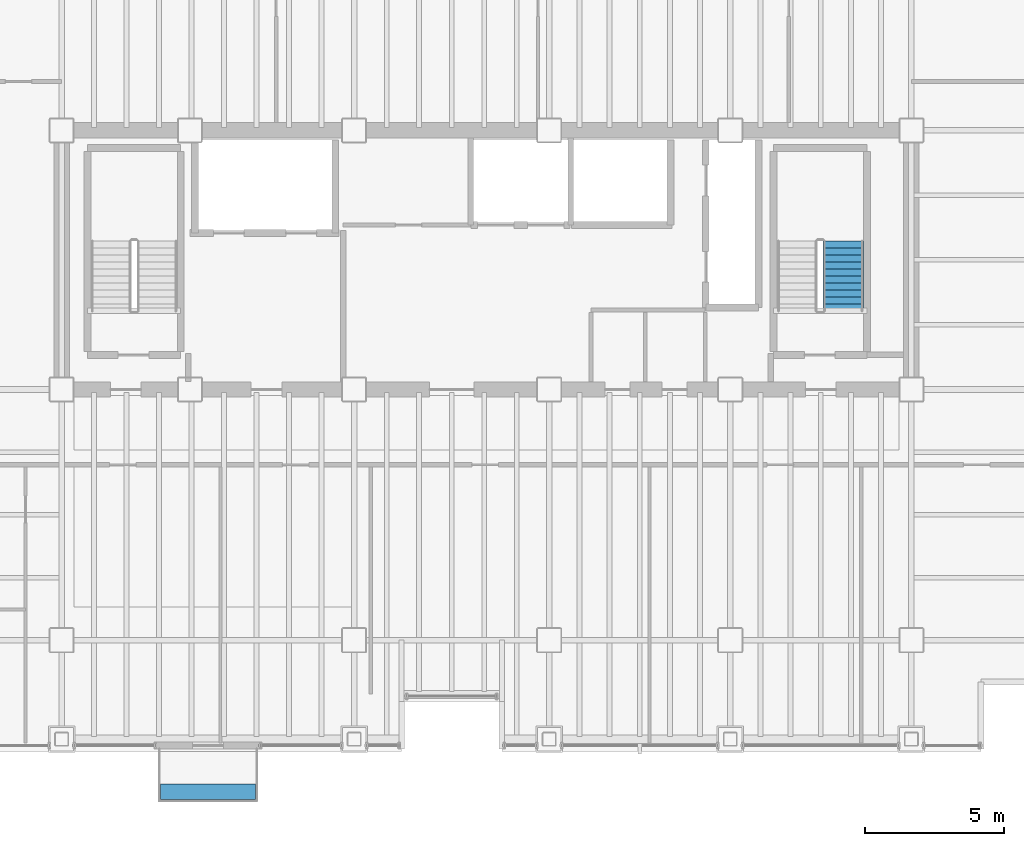
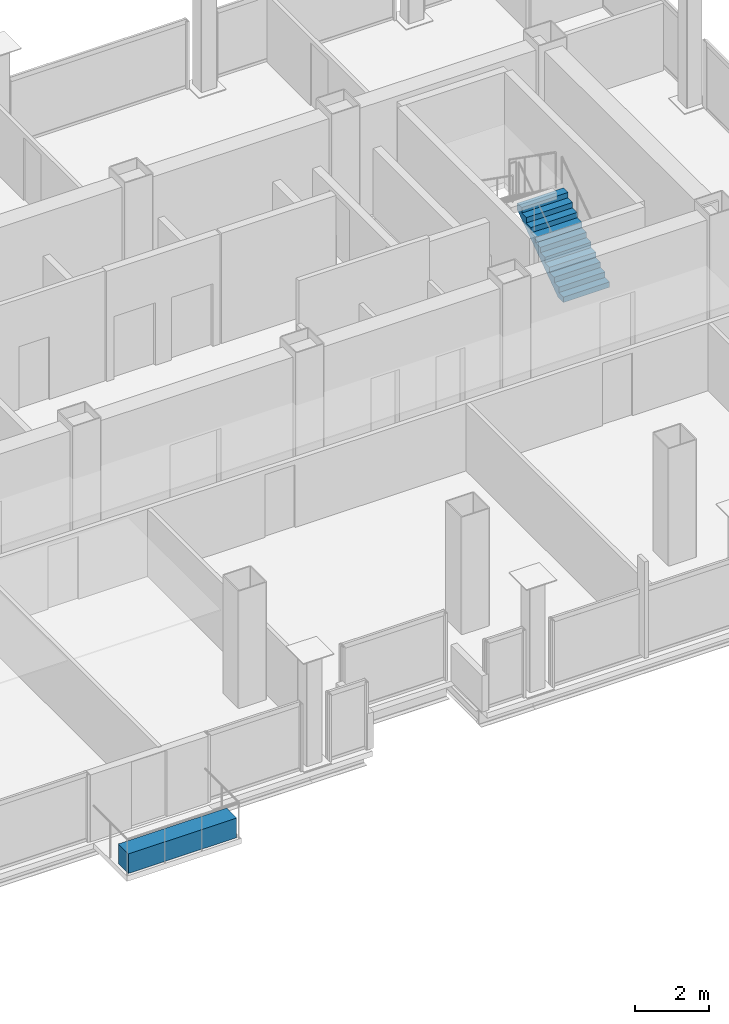
# One storey, part 18 of 19: 1 discrete accessory, 1 stair flight, 1 element without a shape of its own.
"""IFC4 building model written with IfcOpenShell, lengths in metres."""

from ifc_helpers import new_model, si_unit, direction, frame, origin, origin_2d, place, context, subcontext, project, spatial, polyline, rectangle, outline, extrude, material, layer, layer_set, type_object, element, aggregate, save


model = new_model("IFC4")

# Units and contexts
model_context = context("Model", 3, precision=1e-05, world=origin(), true_north=direction((0.0, 1.0)))
body_context = subcontext(model_context, "Body", "Model", "MODEL_VIEW")
ifc_project = project(units=[si_unit("LENGTHUNIT", "METRE"), si_unit("AREAUNIT", "SQUARE_METRE"), si_unit("VOLUMEUNIT", "CUBIC_METRE"), si_unit("PLANEANGLEUNIT", "RADIAN"), si_unit("MASSUNIT", "GRAM", prefix="KILO")], contexts=[model_context])

# Site, building, storey
site_placement = place(None, origin())
site = spatial("IfcSite", under=ifc_project, at=site_placement, CompositionType="ELEMENT")
building_placement = place(site_placement, origin())
building = spatial("IfcBuilding", under=site, at=building_placement, Name="Noeulbin Bourse Tower", CompositionType="ELEMENT")
storey_placement = place(building_placement, frame((0.0, 0.0, 165.60009765625)))
storey = spatial("IfcBuildingStorey", under=building, at=storey_placement, Name="L41", CompositionType="ELEMENT", Elevation=165.60009765625)

# Stair, stair flight
ifc_material_1 = material(Name="Concrete C40/50", Category="concrete")
stair_type = type_object("IfcStairType", Name="STR-CORE-1560", PredefinedType="HALF_TURN_STAIR", material=ifc_material_1)
stair_placement = place(storey_placement, origin())
stair = element("IfcStair", 1, at=stair_placement, inside=storey, type_object=stair_type, Name="L41 ST-2", PredefinedType="HALF_TURN_STAIR")
stair_flight_type = type_object("IfcStairFlightType", Name="SFL-CORE-1560", PredefinedType="STRAIGHT", material=ifc_material_1)
stair_flight_placement = place(storey_placement, frame((41.554931640625, 31.81005859375, 0.0), z_axis=(0.0, 0.0, 1.0), x_axis=(0.0, 1.0, 0.0)))
stair_flight = element("IfcStairFlight", 2, at=stair_flight_placement, type_object=stair_flight_type, Name="ST-2 flight 1", NumberOfRisers=11, NumberOfTreads=10, PredefinedType="STRAIGHT", RiserHeight=0.177272727, TreadLength=0.252, context=body_context, shape_type="SweptSolid", body=[
    extrude(outline(polyline([(0.0, 0.0), (0.0, 0.17724609375), (0.251953125, 0.17724609375), (0.251953125, 0.3544921875), (0.50390625, 0.3544921875), (0.50390625, 0.53173828125), (0.756103515625, 0.53173828125), (0.756103515625, 0.708984375), (1.008056640625, 0.708984375), (1.008056640625, 0.886474609375), (1.260009765625, 0.886474609375), (1.260009765625, 1.063720703125), (1.511962890625, 1.063720703125), (1.511962890625, 1.240966796875), (1.763916015625, 1.240966796875), (1.763916015625, 1.418212890625), (2.01611328125, 1.418212890625), (2.01611328125, 1.595458984375), (2.26806640625, 1.595458984375), (2.26806640625, 1.772705078125), (2.52001953125, 1.772705078125), (2.52001953125, 1.949951171875), (2.52001953125, 1.552734375), (0.312744140625, 0.0), (0.0, 0.0)])), frame((0.0, 0.72509765625, 0.0), z_axis=(0.0, -1.0, 0.0), x_axis=(1.0, 0.0, 0.0)), (0.0, 0.0, 1.0), 1.449951171875),
])
aggregate(stair, [stair_flight])

# Discrete accessory
ifc_material_2 = material(Name="Architectural GFRC Concrete C40/50", Category="concrete")
ifc_layer = layer(ifc_material_2, 0.64990234375)
ifc_layer_set = layer_set([ifc_layer], Name="Architectural GFRC Concrete C40/50")
discrete_accessory_type = type_object("IfcDiscreteAccessoryType", Name="PLANTER-BOX-3600", PredefinedType="USERDEFINED", material=ifc_layer_set)
discrete_accessory_placement = place(storey_placement, frame((18.75, 14.56005859375, 0.0), z_axis=(0.0, 0.0, 1.0), x_axis=(1.0, 0.0, 0.0)))
element("IfcDiscreteAccessory", 3, at=discrete_accessory_placement, inside=storey, type_object=discrete_accessory_type, Name="Integrated Balcony Tree Planter Box L41", ObjectType="PLANTER", PredefinedType="USERDEFINED", context=body_context, shape_type="SweptSolid", body=[
    extrude(rectangle(XDim=3.39990234375, YDim=0.550048828125, at=origin_2d()), origin(), (0.0, 0.0, 1.0), 0.64990234375),
])

save(model, "model.ifc")
